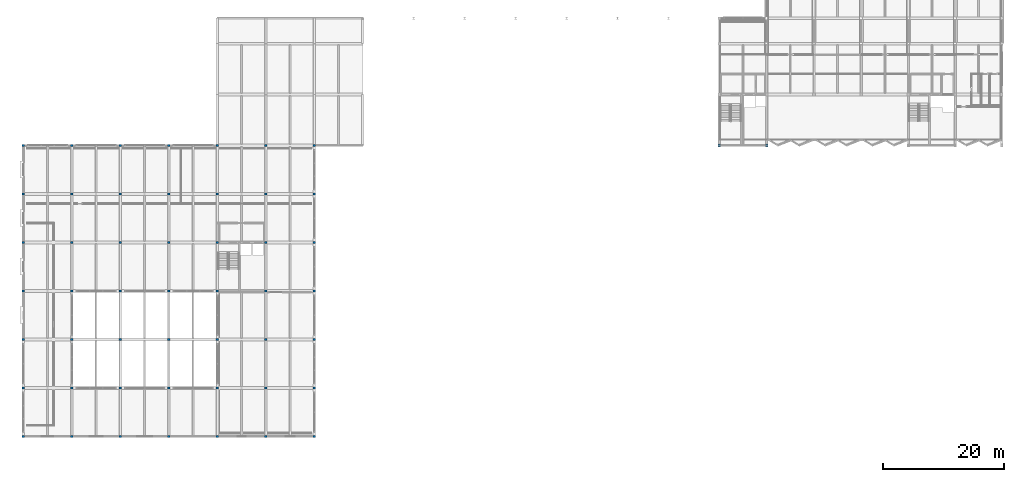
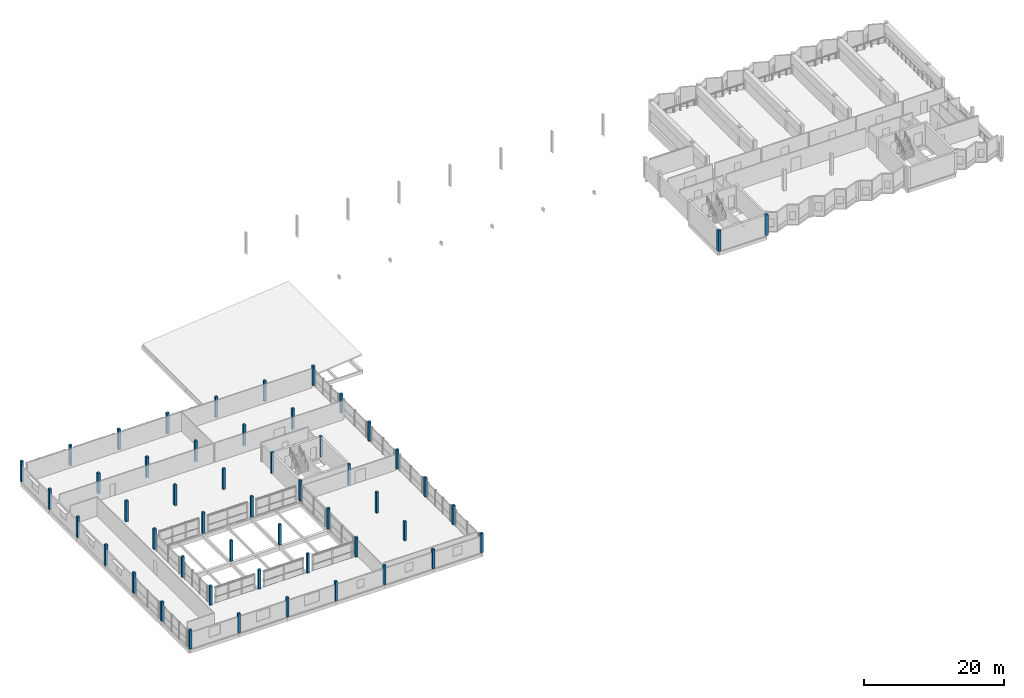
# One storey, part 1 of 34: 51 columns.
"""IFC4 building model written with IfcOpenShell, lengths in metres."""

import ifcopenshell
import ifcopenshell.guid

model = None  # the IFC model being written
_history = None  # IfcOwnerHistory: only IFC2X3 demands one
_inside = {}  # id of a spatial element -> (the spatial element, [elements in it])
_under = {}  # id of a project, library or spatial element -> (it, [spatial elements below it])
_declared = {}  # id of a project -> (the project, [libraries it declares])
_typed = {}  # id of a type object -> (the type object, [elements of that type])
_made_of = {}  # id of a material, layer set ... -> (it, [elements and type objects made of it])


def new_model(schema):
    """Start an empty IFC model of exactly this schema.

    Asked for "IFC4X3", IfcOpenShell would pick the latest addendum, in which some entities
    have other attributes; the version numbers below select the first issue.
    IFC2X3 requires an IfcOwnerHistory on every rooted entity: one is made here for all.
    """
    global model, _history
    if schema == "IFC4X3":
        model = ifcopenshell.file(schema_version=(4, 3, 0, 0))
    else:
        model = ifcopenshell.file(schema=schema)
    _inside.clear()
    _under.clear()
    _declared.clear()
    _typed.clear()
    _made_of.clear()
    _history = None
    if model.schema == "IFC2X3":
        org = make("IfcOrganization", Name="unknown")
        user = make(
            "IfcPersonAndOrganization",
            ThePerson=make("IfcPerson", FamilyName="unknown"),
            TheOrganization=org,
        )
        app = make(
            "IfcApplication",
            ApplicationDeveloper=org,
            Version="unknown",
            ApplicationFullName="unknown",
            ApplicationIdentifier="unknown",
        )
        _history = make(
            "IfcOwnerHistory",
            OwningUser=user,
            OwningApplication=app,
            ChangeAction="ADDED",
            CreationDate=0,
        )
    return model


def make(cls, **values):
    """One entity of the class cls with the attributes given. An attribute that is None is left unset."""
    return model.create_entity(
        cls, **{name: value for name, value in values.items() if value is not None}
    )


def rooted(cls, **values):
    """An entity with a GlobalId (a new one), such as an element, a storey or a relation."""
    return make(cls, GlobalId=ifcopenshell.guid.new(), OwnerHistory=_history, **values)


def si_unit(unit_type, name, prefix=None):
    """IfcSIUnit, for example si_unit("LENGTHUNIT", "METRE", prefix="MILLI")."""
    return make("IfcSIUnit", UnitType=unit_type, Prefix=prefix, Name=name)


def assignment(units):
    """IfcUnitAssignment: the units of a project."""
    return None if units is None else make("IfcUnitAssignment", Units=units)


def point(xyz):
    """IfcCartesianPoint."""
    return None if xyz is None else make("IfcCartesianPoint", Coordinates=xyz)


def direction(xyz):
    """IfcDirection."""
    return None if xyz is None else make("IfcDirection", DirectionRatios=xyz)


def frame(location, z_axis=None, x_axis=None):
    """IfcAxis2Placement3D, a coordinate frame: its origin and axes. An axis left out is left unset."""
    return make(
        "IfcAxis2Placement3D",
        Location=point(location),
        Axis=direction(z_axis),
        RefDirection=direction(x_axis),
    )


def frame_2d(location, x_axis=None):
    """IfcAxis2Placement2D, a coordinate frame in the plane: its origin and x axis."""
    return make(
        "IfcAxis2Placement2D", Location=point(location), RefDirection=direction(x_axis)
    )


def origin():
    """The frame at (0, 0, 0) with its axes left unset."""
    return frame((0.0, 0.0, 0.0))


def origin_2d():
    """The frame at (0, 0) in the plane with its x axis left unset."""
    return frame_2d((0.0, 0.0))


def place(relative_to, where):
    """IfcLocalPlacement: puts the frame where relative to a parent placement (None: the world)."""
    return make(
        "IfcLocalPlacement", PlacementRelTo=relative_to, RelativePlacement=where
    )


def context(
    kind, dimensions, precision=None, world=None, true_north=None, identifier=None
):
    """IfcGeometricRepresentationContext, for example the 3D "Model" context."""
    return make(
        "IfcGeometricRepresentationContext",
        ContextIdentifier=identifier,
        ContextType=kind,
        CoordinateSpaceDimension=dimensions,
        Precision=precision,
        WorldCoordinateSystem=world,
        TrueNorth=true_north,
    )


def subcontext(parent, identifier, kind, view, scale=None):
    """IfcGeometricRepresentationSubContext, for example "Body" below "Model"."""
    return make(
        "IfcGeometricRepresentationSubContext",
        ContextIdentifier=identifier,
        ContextType=kind,
        ParentContext=parent,
        TargetScale=scale,
        TargetView=view,
    )


def project(units=None, contexts=None):
    """IfcProject with its units and contexts."""
    return rooted(
        "IfcProject",
        Name="project",
        RepresentationContexts=contexts,
        UnitsInContext=assignment(units),
    )


def spatial(cls, under=None, at=None, **own):
    """A site, building, storey or space (cls), placed at a placement, below another one or the project."""
    s = rooted(cls, ObjectPlacement=at, **own)
    if under is not None:
        _under.setdefault(under.id(), (under, []))[1].append(s)
    return s


def profile(cls, at=None, kind="AREA", **sizes):
    """A parametric profile (cls). Its sizes go by their IFC names, for example OverallWidth=200.0."""
    return make(cls, ProfileType=kind, Position=at, **sizes)


def rectangle(**sizes):
    """IfcRectangleProfileDef."""
    return profile("IfcRectangleProfileDef", **sizes)


def extrude(swept, where, along, depth):
    """IfcExtrudedAreaSolid: the profile swept, set in the frame where, extruded along a direction by depth."""
    return make(
        "IfcExtrudedAreaSolid",
        SweptArea=swept,
        Position=where,
        ExtrudedDirection=direction(along),
        Depth=depth,
    )


def shape(context_of_items, identifier, shape_type, items):
    """IfcShapeRepresentation: the items that make up one representation, for example the "Body"."""
    return make(
        "IfcShapeRepresentation",
        ContextOfItems=context_of_items,
        RepresentationIdentifier=identifier,
        RepresentationType=shape_type,
        Items=items,
    )


def material(Name=None, Category=None):
    """IfcMaterial."""
    return make("IfcMaterial", Name=Name, Category=Category)


def material_profile(
    of_material, cross_section, Name=None, Category=None, Priority=None
):
    """IfcMaterialProfile: a cross section and its material."""
    return make(
        "IfcMaterialProfile",
        Name=Name,
        Material=of_material,
        Profile=cross_section,
        Priority=Priority,
        Category=Category,
    )


def profile_set(profiles, Name=None, composite=None):
    """IfcMaterialProfileSet."""
    return make(
        "IfcMaterialProfileSet",
        Name=Name,
        MaterialProfiles=profiles,
        CompositeProfile=composite,
    )


def made_of(thing, what):
    """Note that an element or type object is made of a material, layer set ...; save() writes the relation."""
    if what is not None:
        _made_of.setdefault(what.id(), (what, []))[1].append(thing)
    return thing


def type_object(cls, material=None, **own):
    """A type object (cls), such as IfcWallType, which elements share."""
    return made_of(rooted(cls, **own), material)


def element(
    cls,
    number,
    at=None,
    inside=None,
    cuts=None,
    type_object=None,
    material=None,
    context=None,
    identifier="Body",
    shape_type=None,
    held_by="IfcProductDefinitionShape",
    body=None,
    shapes=None,
    **own,
):
    """One element of the class cls, such as IfcWall. Its Tag is "e" and its number.

    at: its placement. inside: the storey or other place that contains it. cuts: it is an
    opening in that element (IfcRelVoidsElement). A single representation is given by context,
    identifier, shape_type and body (its items); several are given by shapes. held_by: the class
    of the entity that holds the representations. save() writes the other relations.
    """
    e = rooted(cls, Tag="e%d" % number, ObjectPlacement=at, **own)
    if body is not None:
        shapes = [shape(context, identifier, shape_type, body)]
    if shapes is not None:
        e.Representation = make(held_by, Representations=shapes)
    if inside is not None:
        _inside.setdefault(inside.id(), (inside, []))[1].append(e)
    if cuts is not None:
        rooted(
            "IfcRelVoidsElement", RelatingBuildingElement=cuts, RelatedOpeningElement=e
        )
    if type_object is not None:
        _typed.setdefault(type_object.id(), (type_object, []))[1].append(e)
    return made_of(e, material)


def aggregate(whole, parts):
    """IfcRelAggregates: a whole, such as a stair, and the parts it consists of."""
    return rooted("IfcRelAggregates", RelatingObject=whole, RelatedObjects=parts)


def save(model, path):
    """Write the relations noted so far, then the file.

    IfcRelAggregates (storeys below a building ...), IfcRelContainedInSpatialStructure (elements
    in a storey), IfcRelDefinesByType, IfcRelAssociatesMaterial and IfcRelDeclares: one each for
    every whole, place, type object, material and project.
    """
    for whole, parts in _under.values():
        aggregate(whole, parts)
    for where, things in _inside.values():
        rooted(
            "IfcRelContainedInSpatialStructure",
            RelatedElements=things,
            RelatingStructure=where,
        )
    for kind, things in _typed.values():
        rooted("IfcRelDefinesByType", RelatedObjects=things, RelatingType=kind)
    for what, things in _made_of.values():
        rooted("IfcRelAssociatesMaterial", RelatedObjects=things, RelatingMaterial=what)
    for by, libraries in _declared.values():
        rooted("IfcRelDeclares", RelatingContext=by, RelatedDefinitions=libraries)
    model.write(path)


model = new_model("IFC4")

# Units and contexts
model_context = context("Model", 3, precision=1e-05, world=origin(), true_north=direction((0.0, 1.0)))
body_context = subcontext(model_context, "Body", "Model", "MODEL_VIEW")
ifc_project = project(units=[si_unit("LENGTHUNIT", "METRE"), si_unit("AREAUNIT", "SQUARE_METRE"), si_unit("VOLUMEUNIT", "CUBIC_METRE"), si_unit("PLANEANGLEUNIT", "RADIAN"), si_unit("MASSUNIT", "GRAM", prefix="KILO")], contexts=[model_context])

# Site, building, storey
site_placement = place(None, origin())
site = spatial("IfcSite", under=ifc_project, at=site_placement, CompositionType="ELEMENT")
building_placement = place(site_placement, origin())
building = spatial("IfcBuilding", under=site, at=building_placement, Name="Vharandega Faculty of Natural Sciences", CompositionType="ELEMENT")
storey_placement = place(building_placement, frame((0.0, 0.0, 21.60009765625)))
storey = spatial("IfcBuildingStorey", under=building, at=storey_placement, Name="L05", CompositionType="ELEMENT", Elevation=21.60009765625)

# Columns
ifc_material_1 = material(Name="Glulam GL32h", Category="wood")
ifc_material_profile_1 = material_profile(ifc_material_1, rectangle(XDim=0.3798828125, YDim=0.3798828125, at=origin_2d()), Name="GL32h 380x380")
ifc_profile_set_1 = profile_set([ifc_material_profile_1], Name="Glulam GL32h")
column_type_1 = type_object("IfcColumnType", Name="Glulam Column 380x380", PredefinedType="COLUMN", material=ifc_profile_set_1)
for number, where, z_axis, x_axis, name in (
    (1, (0.0, 16.0, 0.0), (0.0, 0.0, 1.0), (1.0, 0.0, 0.0), "Column 1/C L05"),
    (2, (0.0, 24.0, 0.0), (0.0, 0.0, 1.0), (1.0, 0.0, 0.0), "Column 1/D L05"),
):
    element("IfcColumn", number, at=place(storey_placement, frame(where, z_axis=z_axis, x_axis=x_axis)), inside=storey, type_object=column_type_1, Name=name, PredefinedType="COLUMN", context=body_context, shape_type="SweptSolid", body=[
        extrude(rectangle(XDim=0.3798828125, YDim=0.3798828125, at=origin_2d()), origin(), (0.0, 0.0, 1.0), 3.35986328125),
    ])
for number, where, z_axis, x_axis, name in (
    (3, (0.0, 32.0, 0.0), (0.0, 0.0, 1.0), (1.0, 0.0, 0.0), "Column 1/E L05"),
    (4, (0.0, 40.0, 0.0), (0.0, 0.0, 1.0), (1.0, 0.0, 0.0), "Column 1/F L05"),
    (5, (0.0, 48.0, 0.0), (0.0, 0.0, 1.0), (1.0, 0.0, 0.0), "Column 1/G L05"),
    (6, (0.0, 56.0, 0.0), (0.0, 0.0, 1.0), (1.0, 0.0, 0.0), "Column 1/H L05"),
    (7, (0.0, 64.0, 0.0), (0.0, 0.0, 1.0), (1.0, 0.0, 0.0), "Column 1/J L05"),
):
    element("IfcColumn", number, at=place(storey_placement, frame(where, z_axis=z_axis, x_axis=x_axis)), inside=storey, type_object=column_type_1, Name=name, PredefinedType="COLUMN", context=body_context, shape_type="SweptSolid", body=[
        extrude(rectangle(XDim=0.3798828125, YDim=0.3798828125, at=origin_2d()), origin(), (0.0, 0.0, 1.0), 3.599853515625),
    ])
for number, where, z_axis, x_axis, name in (
    (8, (8.0, 16.0, 0.0), (0.0, 0.0, 1.0), (1.0, 0.0, 0.0), "Column 2/C L05"),
    (9, (8.0, 24.0, 0.0), (0.0, 0.0, 1.0), (1.0, 0.0, 0.0), "Column 2/D L05"),
):
    element("IfcColumn", number, at=place(storey_placement, frame(where, z_axis=z_axis, x_axis=x_axis)), inside=storey, type_object=column_type_1, Name=name, PredefinedType="COLUMN", context=body_context, shape_type="SweptSolid", body=[
        extrude(rectangle(XDim=0.3798828125, YDim=0.3798828125, at=origin_2d()), origin(), (0.0, 0.0, 1.0), 3.35986328125),
    ])
for number, where, z_axis, x_axis, name in (
    (10, (8.0, 32.0, 0.0), (0.0, 0.0, 1.0), (1.0, 0.0, 0.0), "Column 2/E L05"),
    (11, (8.0, 40.0, 0.0), (0.0, 0.0, 1.0), (1.0, 0.0, 0.0), "Column 2/F L05"),
    (12, (8.0, 48.0, 0.0), (0.0, 0.0, 1.0), (1.0, 0.0, 0.0), "Column 2/G L05"),
    (13, (8.0, 56.0, 0.0), (0.0, 0.0, 1.0), (1.0, 0.0, 0.0), "Column 2/H L05"),
    (14, (8.0, 64.0, 0.0), (0.0, 0.0, 1.0), (1.0, 0.0, 0.0), "Column 2/J L05"),
):
    element("IfcColumn", number, at=place(storey_placement, frame(where, z_axis=z_axis, x_axis=x_axis)), inside=storey, type_object=column_type_1, Name=name, PredefinedType="COLUMN", context=body_context, shape_type="SweptSolid", body=[
        extrude(rectangle(XDim=0.3798828125, YDim=0.3798828125, at=origin_2d()), origin(), (0.0, 0.0, 1.0), 3.599853515625),
    ])
for number, where, z_axis, x_axis, name in (
    (15, (16.0, 16.0, 0.0), (0.0, 0.0, 1.0), (1.0, 0.0, 0.0), "Column 3/C L05"),
    (16, (16.0, 24.0, 0.0), (0.0, 0.0, 1.0), (1.0, 0.0, 0.0), "Column 3/D L05"),
):
    element("IfcColumn", number, at=place(storey_placement, frame(where, z_axis=z_axis, x_axis=x_axis)), inside=storey, type_object=column_type_1, Name=name, PredefinedType="COLUMN", context=body_context, shape_type="SweptSolid", body=[
        extrude(rectangle(XDim=0.3798828125, YDim=0.3798828125, at=origin_2d()), origin(), (0.0, 0.0, 1.0), 3.35986328125),
    ])
for number, where, z_axis, x_axis, name in (
    (17, (16.0, 32.0, 0.0), (0.0, 0.0, 1.0), (1.0, 0.0, 0.0), "Column 3/E L05"),
    (18, (16.0, 40.0, 0.0), (0.0, 0.0, 1.0), (1.0, 0.0, 0.0), "Column 3/F L05"),
    (19, (16.0, 48.0, 0.0), (0.0, 0.0, 1.0), (1.0, 0.0, 0.0), "Column 3/G L05"),
    (20, (16.0, 56.0, 0.0), (0.0, 0.0, 1.0), (1.0, 0.0, 0.0), "Column 3/H L05"),
    (21, (16.0, 64.0, 0.0), (0.0, 0.0, 1.0), (1.0, 0.0, 0.0), "Column 3/J L05"),
):
    element("IfcColumn", number, at=place(storey_placement, frame(where, z_axis=z_axis, x_axis=x_axis)), inside=storey, type_object=column_type_1, Name=name, PredefinedType="COLUMN", context=body_context, shape_type="SweptSolid", body=[
        extrude(rectangle(XDim=0.3798828125, YDim=0.3798828125, at=origin_2d()), origin(), (0.0, 0.0, 1.0), 3.599853515625),
    ])
for number, where, z_axis, x_axis, name in (
    (22, (24.0, 16.0, 0.0), (0.0, 0.0, 1.0), (1.0, 0.0, 0.0), "Column 4/C L05"),
    (23, (24.0, 24.0, 0.0), (0.0, 0.0, 1.0), (1.0, 0.0, 0.0), "Column 4/D L05"),
):
    element("IfcColumn", number, at=place(storey_placement, frame(where, z_axis=z_axis, x_axis=x_axis)), inside=storey, type_object=column_type_1, Name=name, PredefinedType="COLUMN", context=body_context, shape_type="SweptSolid", body=[
        extrude(rectangle(XDim=0.3798828125, YDim=0.3798828125, at=origin_2d()), origin(), (0.0, 0.0, 1.0), 3.35986328125),
    ])
for number, where, z_axis, x_axis, name in (
    (24, (24.0, 32.0, 0.0), (0.0, 0.0, 1.0), (1.0, 0.0, 0.0), "Column 4/E L05"),
    (25, (24.0, 40.0, 0.0), (0.0, 0.0, 1.0), (1.0, 0.0, 0.0), "Column 4/F L05"),
    (26, (24.0, 48.0, 0.0), (0.0, 0.0, 1.0), (1.0, 0.0, 0.0), "Column 4/G L05"),
    (27, (24.0, 56.0, 0.0), (0.0, 0.0, 1.0), (1.0, 0.0, 0.0), "Column 4/H L05"),
    (28, (24.0, 64.0, 0.0), (0.0, 0.0, 1.0), (1.0, 0.0, 0.0), "Column 4/J L05"),
):
    element("IfcColumn", number, at=place(storey_placement, frame(where, z_axis=z_axis, x_axis=x_axis)), inside=storey, type_object=column_type_1, Name=name, PredefinedType="COLUMN", context=body_context, shape_type="SweptSolid", body=[
        extrude(rectangle(XDim=0.3798828125, YDim=0.3798828125, at=origin_2d()), origin(), (0.0, 0.0, 1.0), 3.599853515625),
    ])
for number, where, z_axis, x_axis, name in (
    (29, (32.0, 16.0, 0.0), (0.0, 0.0, 1.0), (1.0, 0.0, 0.0), "Column 5/C L05"),
    (30, (32.0, 24.0, 0.0), (0.0, 0.0, 1.0), (1.0, 0.0, 0.0), "Column 5/D L05"),
):
    element("IfcColumn", number, at=place(storey_placement, frame(where, z_axis=z_axis, x_axis=x_axis)), inside=storey, type_object=column_type_1, Name=name, PredefinedType="COLUMN", context=body_context, shape_type="SweptSolid", body=[
        extrude(rectangle(XDim=0.3798828125, YDim=0.3798828125, at=origin_2d()), origin(), (0.0, 0.0, 1.0), 3.35986328125),
    ])
for number, where, z_axis, x_axis, name in (
    (31, (32.0, 32.0, 0.0), (0.0, 0.0, 1.0), (1.0, 0.0, 0.0), "Column 5/E L05"),
    (32, (32.0, 40.0, 0.0), (0.0, 0.0, 1.0), (1.0, 0.0, 0.0), "Column 5/F L05"),
    (33, (32.0, 48.0, 0.0), (0.0, 0.0, 1.0), (1.0, 0.0, 0.0), "Column 5/G L05"),
    (34, (32.0, 56.0, 0.0), (0.0, 0.0, 1.0), (1.0, 0.0, 0.0), "Column 5/H L05"),
    (35, (32.0, 64.0, 0.0), (0.0, 0.0, 1.0), (1.0, 0.0, 0.0), "Column 5/J L05"),
):
    element("IfcColumn", number, at=place(storey_placement, frame(where, z_axis=z_axis, x_axis=x_axis)), inside=storey, type_object=column_type_1, Name=name, PredefinedType="COLUMN", context=body_context, shape_type="SweptSolid", body=[
        extrude(rectangle(XDim=0.3798828125, YDim=0.3798828125, at=origin_2d()), origin(), (0.0, 0.0, 1.0), 3.599853515625),
    ])
for number, where, z_axis, x_axis, name in (
    (36, (40.0, 16.0, 0.0), (0.0, 0.0, 1.0), (1.0, 0.0, 0.0), "Column 6/C L05"),
    (37, (40.0, 24.0, 0.0), (0.0, 0.0, 1.0), (1.0, 0.0, 0.0), "Column 6/D L05"),
):
    element("IfcColumn", number, at=place(storey_placement, frame(where, z_axis=z_axis, x_axis=x_axis)), inside=storey, type_object=column_type_1, Name=name, PredefinedType="COLUMN", context=body_context, shape_type="SweptSolid", body=[
        extrude(rectangle(XDim=0.3798828125, YDim=0.3798828125, at=origin_2d()), origin(), (0.0, 0.0, 1.0), 3.35986328125),
    ])
for number, where, z_axis, x_axis, name in (
    (38, (40.0, 32.0, 0.0), (0.0, 0.0, 1.0), (1.0, 0.0, 0.0), "Column 6/E L05"),
    (39, (40.0, 40.0, 0.0), (0.0, 0.0, 1.0), (1.0, 0.0, 0.0), "Column 6/F L05"),
    (40, (40.0, 48.0, 0.0), (0.0, 0.0, 1.0), (1.0, 0.0, 0.0), "Column 6/G L05"),
    (41, (40.0, 56.0, 0.0), (0.0, 0.0, 1.0), (1.0, 0.0, 0.0), "Column 6/H L05"),
    (42, (40.0, 64.0, 0.0), (0.0, 0.0, 1.0), (1.0, 0.0, 0.0), "Column 6/J L05"),
):
    element("IfcColumn", number, at=place(storey_placement, frame(where, z_axis=z_axis, x_axis=x_axis)), inside=storey, type_object=column_type_1, Name=name, PredefinedType="COLUMN", context=body_context, shape_type="SweptSolid", body=[
        extrude(rectangle(XDim=0.3798828125, YDim=0.3798828125, at=origin_2d()), origin(), (0.0, 0.0, 1.0), 3.599853515625),
    ])
for number, where, z_axis, x_axis, name in (
    (43, (48.0, 16.0, 0.0), (0.0, 0.0, 1.0), (1.0, 0.0, 0.0), "Column 7/C L05"),
    (44, (48.0, 24.0, 0.0), (0.0, 0.0, 1.0), (1.0, 0.0, 0.0), "Column 7/D L05"),
    (45, (48.0, 32.0, 0.0), (0.0, 0.0, 1.0), (1.0, 0.0, 0.0), "Column 7/E L05"),
    (46, (48.0, 40.0, 0.0), (0.0, 0.0, 1.0), (1.0, 0.0, 0.0), "Column 7/F L05"),
    (47, (48.0, 48.0, 0.0), (0.0, 0.0, 1.0), (1.0, 0.0, 0.0), "Column 7/G L05"),
    (48, (48.0, 56.0, 0.0), (0.0, 0.0, 1.0), (1.0, 0.0, 0.0), "Column 7/H L05"),
    (49, (48.0, 64.0, 0.0), (0.0, 0.0, 1.0), (1.0, 0.0, 0.0), "Column 7/J L05"),
):
    element("IfcColumn", number, at=place(storey_placement, frame(where, z_axis=z_axis, x_axis=x_axis)), inside=storey, type_object=column_type_1, Name=name, PredefinedType="COLUMN", context=body_context, shape_type="SweptSolid", body=[
        extrude(rectangle(XDim=0.3798828125, YDim=0.3798828125, at=origin_2d()), origin(), (0.0, 0.0, 1.0), 3.35986328125),
    ])
ifc_material_2 = material(Name="Glulam GL32h", Category="wood")
ifc_material_profile_2 = material_profile(ifc_material_2, rectangle(XDim=0.449951171875, YDim=0.449951171875, at=origin_2d()), Name="GL32h 450x450")
ifc_profile_set_2 = profile_set([ifc_material_profile_2], Name="Glulam GL32h")
column_type_2 = type_object("IfcColumnType", Name="Glulam Column 450x450", PredefinedType="COLUMN", material=ifc_profile_set_2)
for number, where, z_axis, x_axis, name in (
    (50, (114.800048828125, 64.0, 0.0), (0.0, 0.0, 1.0), (1.0, 0.0, 0.0), "Column 15/J L05"),
    (51, (122.60009765625, 64.0, 0.0), (0.0, 0.0, 1.0), (1.0, 0.0, 0.0), "Column 16/J L05"),
):
    element("IfcColumn", number, at=place(storey_placement, frame(where, z_axis=z_axis, x_axis=x_axis)), inside=storey, type_object=column_type_2, Name=name, PredefinedType="COLUMN", context=body_context, shape_type="SweptSolid", body=[
        extrude(rectangle(XDim=0.449951171875, YDim=0.449951171875, at=origin_2d()), origin(), (0.0, 0.0, 1.0), 3.599853515625),
    ])

save(model, "model.ifc")
